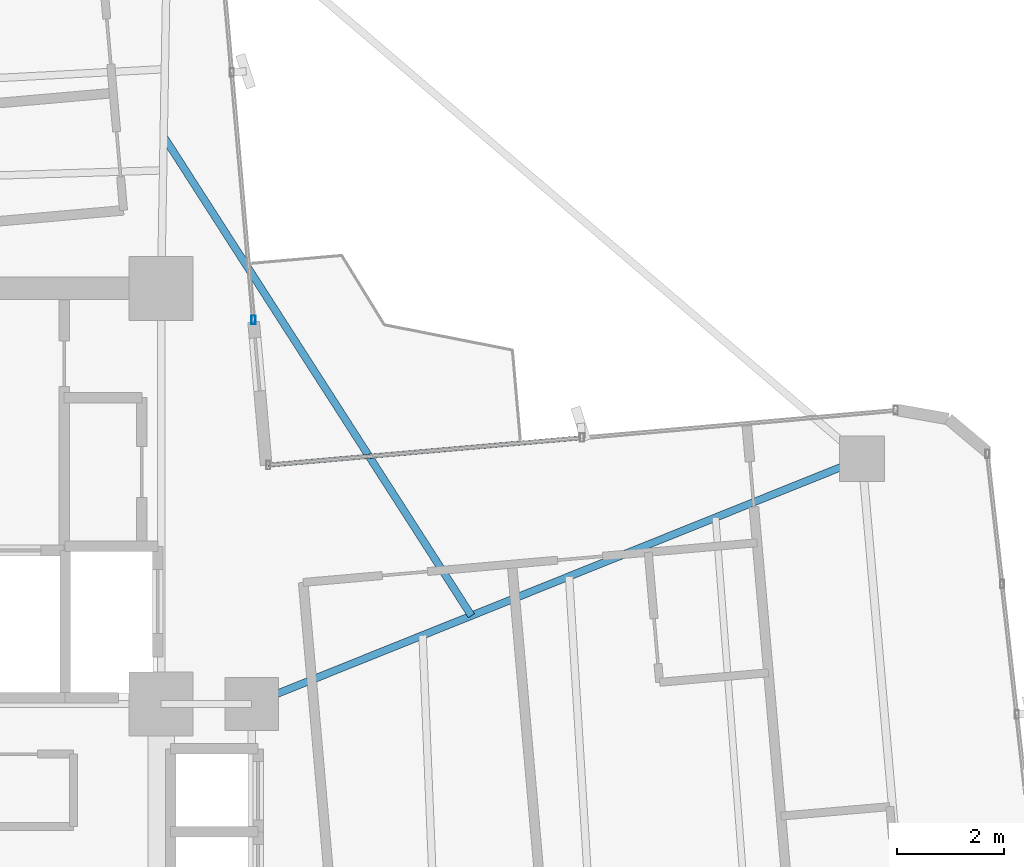
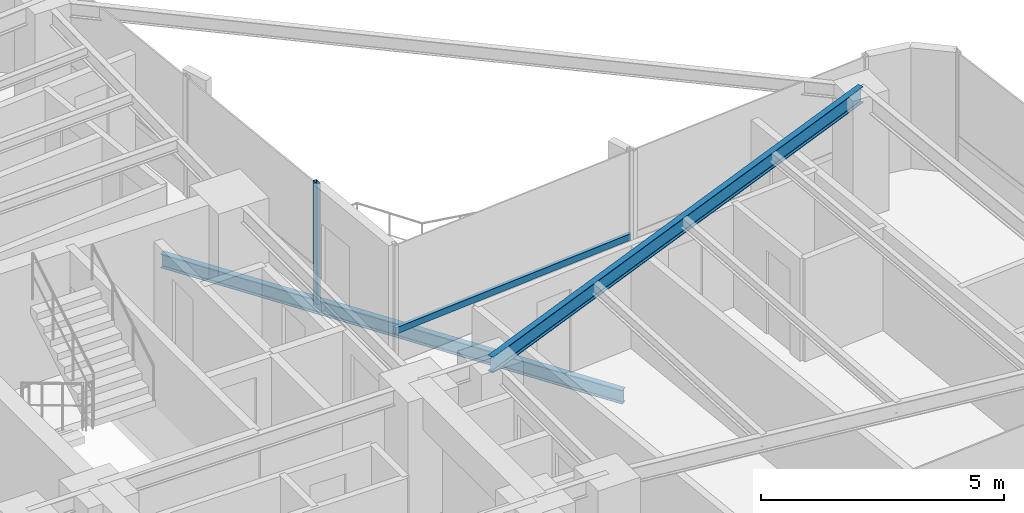
# One storey, part 12 of 24: 2 beams, 2 members, 2 elements without a shape of their own.
"""IFC4 building model written with IfcOpenShell, lengths in metres."""

from ifc_helpers import new_model, si_unit, direction, frame, origin, origin_2d, place, context, subcontext, project, spatial, hollow_rectangle, i_section, extrude, source, transform, mapped, material, material_profile, profile_set, type_object, element, aggregate, save


model = new_model("IFC4")

# Units and contexts
model_context = context("Model", 3, precision=1e-05, world=origin(), true_north=direction((0.0, 1.0)))
body_context = subcontext(model_context, "Body", "Model", "MODEL_VIEW")
ifc_project = project(units=[si_unit("LENGTHUNIT", "METRE"), si_unit("AREAUNIT", "SQUARE_METRE"), si_unit("VOLUMEUNIT", "CUBIC_METRE"), si_unit("PLANEANGLEUNIT", "RADIAN"), si_unit("MASSUNIT", "GRAM", prefix="KILO")], contexts=[model_context])

# Site, building, storey
site_placement = place(None, origin())
site = spatial("IfcSite", under=ifc_project, at=site_placement, CompositionType="ELEMENT")
building_placement = place(site_placement, origin())
building = spatial("IfcBuilding", under=site, at=building_placement, Name="Sahyath Konkavel Grand Hotel", CompositionType="ELEMENT")
storey_placement = place(building_placement, frame((0.0, 0.0, 198.64990234375)))
storey = spatial("IfcBuildingStorey", under=building, at=storey_placement, Name="L55", CompositionType="ELEMENT", Elevation=198.64990234375)

# Beam
ifc_material_1 = material(Name="Steel E350", Category="steel")
ifc_material_profile_1 = material_profile(ifc_material_1, i_section(OverallWidth=0.139892578125, OverallDepth=0.39990234375, WebThickness=0.0087890625, FlangeThickness=0.01611328125, FilletRadius=0.013916015625, at=origin_2d()), Name="ISMB 400")
ifc_profile_set_1 = profile_set([ifc_material_profile_1], Name="Steel E350")
beam_type_1 = type_object("IfcBeamType", Name="BM-ISMB400", PredefinedType="BEAM", material=ifc_profile_set_1)
shared_shape_1 = source(origin(), body_context, "Body", "SweptSolid", [
    extrude(i_section(OverallWidth=0.139892578125, OverallDepth=0.39990234375, WebThickness=0.0087890625, FlangeThickness=0.01611328125, FilletRadius=0.013916015625, at=origin_2d()), origin(), (0.0, 0.0, 1.0), 12.344970703125),
])
beam_1_placement = place(storey_placement, frame((5.5, 2.39990234375, 2.830078125), z_axis=(0.927837014101, 0.372985891507, 0.0), x_axis=(-0.372985891507, 0.927837014101, 0.0)))
element("IfcBeam", 1, at=beam_1_placement, inside=storey, type_object=beam_type_1, Name="L55 Cruciform Radial Girder EB", PredefinedType="BEAM", context=body_context, shape_type="MappedRepresentation", body=[
    mapped(shared_shape_1, transform((0.0, 0.0, 0.0), scale=1.0)),
])

# Curtain wall, member
ifc_material_2 = material(Name="Anodised Bronze Aluminium & Low-E Glazing", Category="aluminium")
curtain_wall_type = type_object("IfcCurtainWallType", Name="CW-ZONE3", PredefinedType="NOTDEFINED", material=ifc_material_2)
curtain_wall_1_placement = place(storey_placement, origin())
curtain_wall_1 = element("IfcCurtainWall", 2, at=curtain_wall_1_placement, inside=storey, type_object=curtain_wall_type, Name="L55 Unitised Curtain Wall F8", PredefinedType="NOTDEFINED")
ifc_material_3 = material(Name="Anodised Bronze Aluminium", Category="aluminium")
ifc_material_profile_2 = material_profile(ifc_material_3, hollow_rectangle(XDim=0.080078125, YDim=0.159912109375, WallThickness=0.006103515625, at=origin_2d()), Name="RHS 160x80x6")
ifc_profile_set_2 = profile_set([ifc_material_profile_2], Name="Anodised Bronze Aluminium")
member_type_1 = type_object("IfcMemberType", Name="CW-MUL-160", PredefinedType="MULLION", material=ifc_profile_set_2)
shared_shape_2 = source(origin(), body_context, "Body", "SweptSolid", [
    extrude(hollow_rectangle(XDim=0.080078125, YDim=0.159912109375, WallThickness=0.006103515625, at=origin_2d()), origin(), (0.0, 0.0, 1.0), 3.030029296875),
])
member_1_placement = place(storey_placement, frame((5.53369140625, 9.60888671875, 0.0), z_axis=(0.0, 0.0, 1.0), x_axis=(1.0, 0.0, 0.0)))
member_1 = element("IfcMember", 3, at=member_1_placement, type_object=member_type_1, Name="L55 Curtain Wall Mullion F8-0", PredefinedType="MULLION", context=body_context, shape_type="MappedRepresentation", body=[
    mapped(shared_shape_2, transform((0.0, 0.0, 0.0), scale=1.0)),
])
aggregate(curtain_wall_1, [member_1])

curtain_wall_2_placement = place(storey_placement, origin())
curtain_wall_2 = element("IfcCurtainWall", 4, at=curtain_wall_2_placement, inside=storey, type_object=curtain_wall_type, Name="L55 Unitised Curtain Wall F7", PredefinedType="NOTDEFINED")
ifc_material_profile_3 = material_profile(ifc_material_3, hollow_rectangle(XDim=0.080078125, YDim=0.159912109375, WallThickness=0.006103515625, at=origin_2d()), Name="RHS 160x80x6")
ifc_profile_set_3 = profile_set([ifc_material_profile_3], Name="Anodised Bronze Aluminium")
member_type_2 = type_object("IfcMemberType", Name="CW-TRN-160", PredefinedType="USERDEFINED", material=ifc_profile_set_3)
shared_shape_3 = source(origin(), body_context, "Body", "SweptSolid", [
    extrude(hollow_rectangle(XDim=0.080078125, YDim=0.159912109375, WallThickness=0.006103515625, at=origin_2d()), origin(), (0.0, 0.0, 1.0), 5.909912109375),
])
member_2_placement = place(storey_placement, frame((11.69970703125, 7.39794921875, 0.85009765625), z_axis=(-0.996193941691, -0.087164388014, 0.0), x_axis=(0.087164388014, -0.996193941691, 0.0)))
member_2 = element("IfcMember", 5, at=member_2_placement, type_object=member_type_2, Name="L55 Curtain Wall Transom F7-1-spandrel", ObjectType="TRANSOM", PredefinedType="USERDEFINED", context=body_context, shape_type="MappedRepresentation", body=[
    mapped(shared_shape_3, transform((0.0, 0.0, 0.0), scale=1.0)),
])
aggregate(curtain_wall_2, [member_2])

# Beam
ifc_material_profile_4 = material_profile(ifc_material_1, i_section(OverallWidth=0.139892578125, OverallDepth=0.35009765625, WebThickness=0.008056640625, FlangeThickness=0.01416015625, FilletRadius=0.013916015625, at=origin_2d()), Name="ISMB 350")
ifc_profile_set_4 = profile_set([ifc_material_profile_4], Name="Steel E350")
beam_type_2 = type_object("IfcBeamType", Name="BM-BALC-CANT", PredefinedType="BEAM", material=ifc_profile_set_4)
shared_shape_4 = source(origin(), body_context, "Body", "SweptSolid", [
    extrude(i_section(OverallWidth=0.139892578125, OverallDepth=0.35009765625, WebThickness=0.008056640625, FlangeThickness=0.01416015625, FilletRadius=0.013916015625, at=origin_2d()), origin(), (0.0, 0.0, 1.0), 10.685302734375),
])
beam_2_placement = place(storey_placement, frame((9.62353515625, 4.0576171875, -0.414794921875), z_axis=(-0.540404181048, 0.841405562797, 0.0), x_axis=(-0.841405562797, -0.540404181048, 0.0)))
element("IfcBeam", 6, at=beam_2_placement, inside=storey, type_object=beam_type_2, Name="L55 Balcony Cantilever Support Beam NE", PredefinedType="BEAM", context=body_context, shape_type="MappedRepresentation", body=[
    mapped(shared_shape_4, transform((0.0, 0.0, 0.0), scale=1.0)),
])

save(model, "model.ifc")
